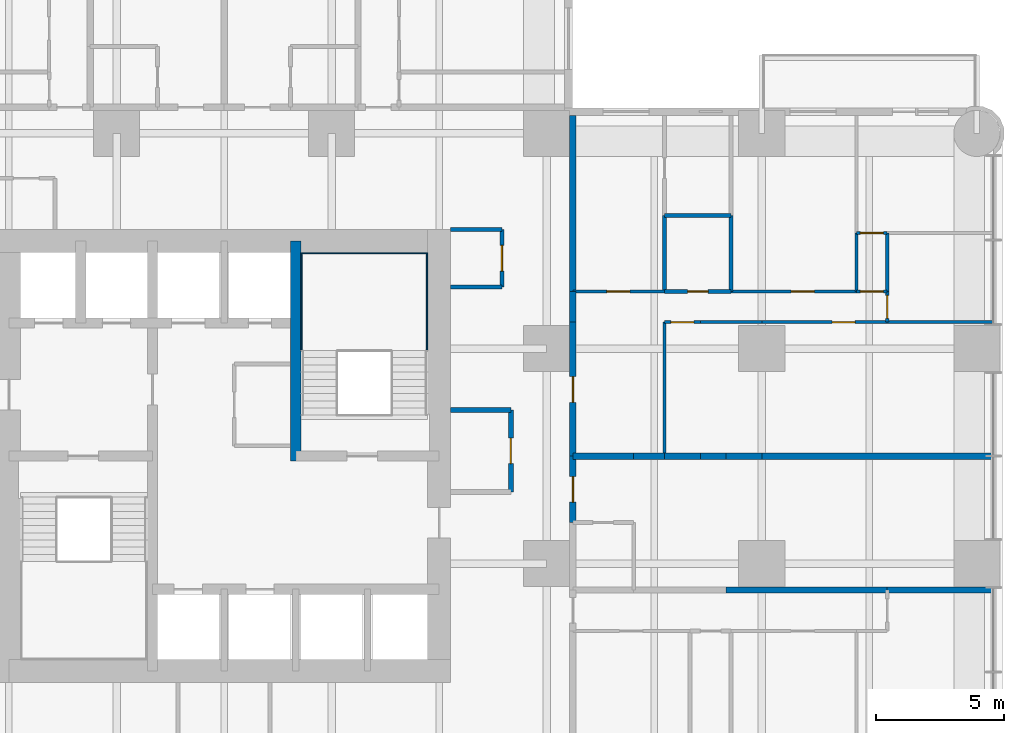
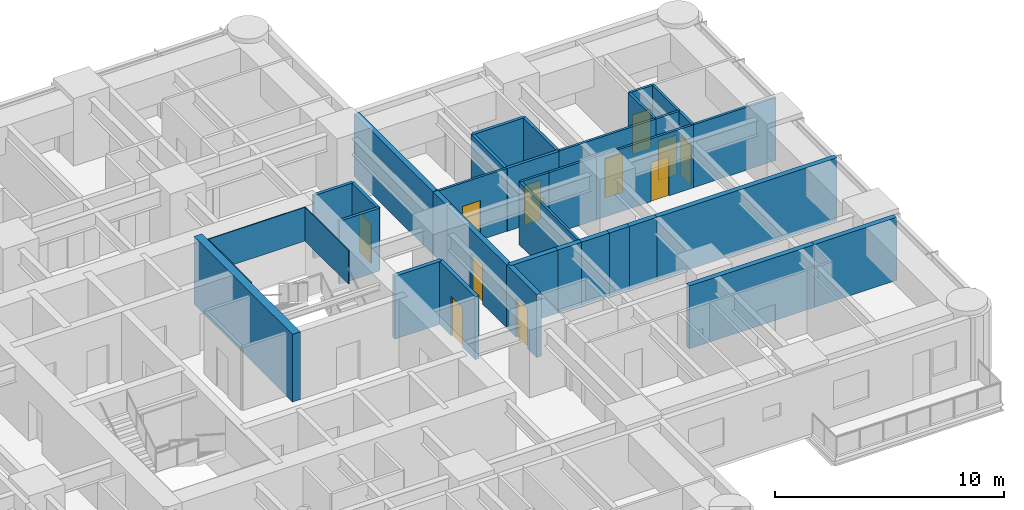
# One storey, part 10 of 14: 37 walls, 12 doors, 12 openings.
"""IFC4 building model written with IfcOpenShell, lengths in metres."""

from ifc_helpers import new_model, si_unit, direction, frame, frame_2d, origin, place, context, subcontext, project, spatial, rectangle, extrude, material, layer, layer_set, type_object, element, fill, save


model = new_model("IFC4")

# Units and contexts
model_context = context("Model", 3, precision=1e-05, world=origin(), true_north=direction((0.0, 1.0)))
body_context = subcontext(model_context, "Body", "Model", "MODEL_VIEW")
ifc_project = project(units=[si_unit("LENGTHUNIT", "METRE"), si_unit("AREAUNIT", "SQUARE_METRE"), si_unit("VOLUMEUNIT", "CUBIC_METRE"), si_unit("PLANEANGLEUNIT", "RADIAN"), si_unit("MASSUNIT", "GRAM", prefix="KILO")], contexts=[model_context])

# Site, building, storey
site_placement = place(None, origin())
site = spatial("IfcSite", under=ifc_project, at=site_placement, CompositionType="ELEMENT")
building_placement = place(site_placement, origin())
building = spatial("IfcBuilding", under=site, at=building_placement, Name="Torre Alcanfor", CompositionType="ELEMENT")
storey_placement = place(building_placement, frame((0.0, 0.0, 173.699951171875)))
storey = spatial("IfcBuildingStorey", under=building, at=storey_placement, Name="L45", CompositionType="ELEMENT", Elevation=173.699951171875)

# Wall, opening, door
ifc_material_1 = material(Name="Concrete block masonry, hollow blocks NMX-C-404 9 MPa", Category="masonry")
ifc_layer_1 = layer(ifc_material_1, 0.25)
ifc_layer_set_1 = layer_set([ifc_layer_1], Name="Apartment entrance wall 250 EI 60")
wall_type_1 = type_object("IfcWallType", Name="Apartment entrance wall 250 EI 60", PredefinedType="PARTITIONING", material=ifc_layer_set_1)
wall_1_placement = place(storey_placement, frame((43.02490234375, 34.62890625, 0.0), z_axis=(0.0, 0.0, 1.0), x_axis=(0.0, -1.0, 0.0)))
wall_1 = element("IfcWall", 1, at=wall_1_placement, inside=storey, type_object=wall_type_1, Name="Partition L45-CORR / L45-E1-ZAG", PredefinedType="PARTITIONING", context=body_context, shape_type="SweptSolid", body=[
    extrude(rectangle(XDim=5.22900390625, YDim=0.25, at=frame_2d((2.614501953125, 0.0))), origin(), (0.0, 0.0, 1.0), 3.35009765625),
])
opening_1_placement = place(wall_1_placement, frame((2.12890625, 0.0, 0.0)))
opening_1 = element("IfcOpeningElement", 2, at=opening_1_placement, cuts=wall_1, Name="Opening D-A1", PredefinedType="OPENING", context=body_context, shape_type="SweptSolid", body=[
    extrude(rectangle(XDim=1.0, YDim=2.10009765625, at=frame_2d((0.5, 1.050048828125))), frame((0.0, 0.135009765625, 0.0), z_axis=(0.0, -1.0, 0.0), x_axis=(1.0, 0.0, 0.0)), (0.0, 0.0, 1.0), 0.27001953125),
])
ifc_material_2 = material(Name="Galvanised steel sheet ASTM A653", Category="steel")
door_type_1 = type_object("IfcDoorType", Name="Apartment entrance door FD60 1000x2100", OperationType="SINGLE_SWING_LEFT", PredefinedType="DOOR", material=ifc_material_2)
door_1_placement = place(opening_1_placement, origin())
door_1 = element("IfcDoor", 3, at=door_1_placement, inside=storey, type_object=door_type_1, Name="Apartment entrance L45-E1", OperationType="SINGLE_SWING_RIGHT", OverallHeight=2.10009765625, OverallWidth=1.0, PredefinedType="DOOR", context=body_context, shape_type="SweptSolid", body=[
    extrude(rectangle(XDim=1.0, YDim=2.10009765625, at=frame_2d((0.5, 1.050048828125))), frame((0.0, 0.02490234375, 0.0), z_axis=(0.0, -1.0, 0.0), x_axis=(1.0, 0.0, 0.0)), (0.0, 0.0, 1.0), 0.050048828125),
])
fill(opening_1, door_1)

# Walls
wall_2_placement = place(storey_placement, frame((43.02490234375, 35.8291015625, 0.0), z_axis=(0.0, 0.0, 1.0), x_axis=(0.0, -1.0, 0.0)))
element("IfcWall", 4, at=wall_2_placement, inside=storey, type_object=wall_type_1, Name="Partition L45-CORR / L45-E1-HALL", PredefinedType="PARTITIONING", context=body_context, shape_type="SweptSolid", body=[
    extrude(rectangle(XDim=1.2001953125, YDim=0.25, at=frame_2d((0.60009765625, 0.0))), origin(), (0.0, 0.0, 1.0), 3.35009765625),
])
wall_3_placement = place(storey_placement, frame((43.02490234375, 42.699951171875, 0.0), z_axis=(0.0, 0.0, 1.0), x_axis=(0.0, -1.0, 0.0)))
element("IfcWall", 5, at=wall_3_placement, inside=storey, type_object=wall_type_1, Name="Partition L45-CORR / L45-E1-SERV", PredefinedType="PARTITIONING", context=body_context, shape_type="SweptSolid", body=[
    extrude(rectangle(XDim=6.870849609375, YDim=0.25, at=frame_2d((3.435546875, 0.0))), origin(), (0.0, 0.0, 1.0), 3.35009765625),
])

# Wall, opening, door
wall_4_placement = place(storey_placement, frame((43.02490234375, 29.39990234375, 0.0), z_axis=(0.0, 0.0, 1.0), x_axis=(0.0, -1.0, 0.0)))
wall_4 = element("IfcWall", 6, at=wall_4_placement, inside=storey, type_object=wall_type_1, Name="Partition L45-CORR / L45-E2A-FOYER", PredefinedType="PARTITIONING", context=body_context, shape_type="SweptSolid", body=[
    extrude(rectangle(XDim=2.599853515625, YDim=0.25, at=frame_2d((1.2998046875, 0.0))), origin(), (0.0, 0.0, 1.0), 3.35009765625),
])
opening_2_placement = place(wall_4_placement, frame((0.800048828125, 0.0, 0.0)))
opening_2 = element("IfcOpeningElement", 7, at=opening_2_placement, cuts=wall_4, Name="Opening D-A1", PredefinedType="OPENING", context=body_context, shape_type="SweptSolid", body=[
    extrude(rectangle(XDim=1.0, YDim=2.10009765625, at=frame_2d((0.5, 1.050048828125))), frame((0.0, 0.135009765625, 0.0), z_axis=(0.0, -1.0, 0.0), x_axis=(1.0, 0.0, 0.0)), (0.0, 0.0, 1.0), 0.27001953125),
])
door_2_placement = place(opening_2_placement, origin())
door_2 = element("IfcDoor", 8, at=door_2_placement, inside=storey, type_object=door_type_1, Name="Apartment entrance L45-E2A", OperationType="SINGLE_SWING_LEFT", OverallHeight=2.10009765625, OverallWidth=1.0, PredefinedType="DOOR", context=body_context, shape_type="SweptSolid", body=[
    extrude(rectangle(XDim=1.0, YDim=2.10009765625, at=frame_2d((0.5, 1.050048828125))), frame((0.0, 0.02490234375, 0.0), z_axis=(0.0, -1.0, 0.0), x_axis=(1.0, 0.0, 0.0)), (0.0, 0.0, 1.0), 0.050048828125),
])
fill(opening_2, door_2)

# Wall
ifc_material_3 = material(Name="Gypsum board on steel studs", Category="steel")
ifc_layer_2 = layer(ifc_material_3, 0.1201171875)
ifc_layer_set_2 = layer_set([ifc_layer_2], Name="Apartment partition 120")
wall_type_2 = type_object("IfcWallType", Name="Apartment partition 120", PredefinedType="PARTITIONING", material=ifc_layer_set_2)
wall_5_placement = place(storey_placement, frame((46.60009765625, 29.39990234375, 0.0), z_axis=(0.0, 0.0, 1.0), x_axis=(0.0, 1.0, 0.0)))
element("IfcWall", 9, at=wall_5_placement, inside=storey, type_object=wall_type_2, Name="Partition L45-E1-ZAG / L45-E1-LAUND", PredefinedType="PARTITIONING", context=body_context, shape_type="SweptSolid", body=[
    extrude(rectangle(XDim=5.22900390625, YDim=0.1201171875, at=frame_2d((2.614501953125, 0.0))), origin(), (0.0, 0.0, 1.0), 3.35009765625),
])

# Wall, opening, door
wall_6_placement = place(storey_placement, frame((48.0, 34.62890625, 0.0), z_axis=(0.0, 0.0, 1.0), x_axis=(-1.0, 0.0, 0.0)))
wall_6 = element("IfcWall", 10, at=wall_6_placement, inside=storey, type_object=wall_type_2, Name="Partition L45-E1-LAUND / L45-E1-HALL", PredefinedType="PARTITIONING", context=body_context, shape_type="SweptSolid", body=[
    extrude(rectangle(XDim=1.39990234375, YDim=0.1201171875, at=frame_2d((0.699951171875, 0.0))), origin(), (0.0, 0.0, 1.0), 3.35009765625),
])
opening_3_placement = place(wall_6_placement, frame((0.25, 0.0, 0.0)))
opening_3 = element("IfcOpeningElement", 11, at=opening_3_placement, cuts=wall_6, Name="Opening D-R1", PredefinedType="OPENING", context=body_context, shape_type="SweptSolid", body=[
    extrude(rectangle(XDim=0.89990234375, YDim=2.10009765625, at=frame_2d((0.449951171875, 1.050048828125))), frame((0.0, 0.070068359375, 0.0), z_axis=(0.0, -1.0, 0.0), x_axis=(1.0, 0.0, 0.0)), (0.0, 0.0, 1.0), 0.14013671875),
])
ifc_material_4 = material(Name="Timber", Category="wood")
door_type_2 = type_object("IfcDoorType", Name="Internal door 900x2100", OperationType="SINGLE_SWING_LEFT", PredefinedType="DOOR", material=ifc_material_4)
door_3_placement = place(opening_3_placement, origin())
door_3 = element("IfcDoor", 12, at=door_3_placement, inside=storey, type_object=door_type_2, Name="Door L45-E1 laund", OperationType="SINGLE_SWING_LEFT", OverallHeight=2.10009765625, OverallWidth=0.89990234375, PredefinedType="DOOR", context=body_context, shape_type="SweptSolid", body=[
    extrude(rectangle(XDim=0.89990234375, YDim=2.10009765625, at=frame_2d((0.449951171875, 1.050048828125))), frame((0.0, 0.02490234375, 0.0), z_axis=(0.0, -1.0, 0.0), x_axis=(1.0, 0.0, 0.0)), (0.0, 0.0, 1.0), 0.050048828125),
])
fill(opening_3, door_3)

# Wall
wall_7_placement = place(storey_placement, frame((50.39990234375, 34.62890625, 0.0), z_axis=(0.0, 0.0, 1.0), x_axis=(-1.0, 0.0, 0.0)))
element("IfcWall", 13, at=wall_7_placement, inside=storey, type_object=wall_type_2, Name="Partition L45-E1-KITCHEN / L45-E1-HALL", PredefinedType="PARTITIONING", context=body_context, shape_type="SweptSolid", body=[
    extrude(rectangle(XDim=2.39990234375, YDim=0.1201171875, at=frame_2d((1.199951171875, 0.0))), origin(), (0.0, 0.0, 1.0), 3.35009765625),
])

# Wall, opening, door
wall_8_placement = place(storey_placement, frame((55.300048828125, 34.62890625, 0.0), z_axis=(0.0, 0.0, 1.0), x_axis=(-1.0, 0.0, 0.0)))
wall_8 = element("IfcWall", 14, at=wall_8_placement, inside=storey, type_object=wall_type_2, Name="Partition L45-E1-LIVING / L45-E1-HALL", PredefinedType="PARTITIONING", context=body_context, shape_type="SweptSolid", body=[
    extrude(rectangle(XDim=4.900146484375, YDim=0.1201171875, at=frame_2d((2.4501953125, 0.0))), origin(), (0.0, 0.0, 1.0), 3.35009765625),
])
opening_4_placement = place(wall_8_placement, frame((1.25, 0.0, 0.0)))
opening_4 = element("IfcOpeningElement", 15, at=opening_4_placement, cuts=wall_8, Name="Opening D-R1", PredefinedType="OPENING", context=body_context, shape_type="SweptSolid", body=[
    extrude(rectangle(XDim=0.89990234375, YDim=2.10009765625, at=frame_2d((0.449951171875, 1.050048828125))), frame((0.0, 0.070068359375, 0.0), z_axis=(0.0, -1.0, 0.0), x_axis=(1.0, 0.0, 0.0)), (0.0, 0.0, 1.0), 0.14013671875),
])
door_4_placement = place(opening_4_placement, origin())
door_4 = element("IfcDoor", 16, at=door_4_placement, inside=storey, type_object=door_type_2, Name="Door L45-E1 living", OperationType="SINGLE_SWING_RIGHT", OverallHeight=2.10009765625, OverallWidth=0.89990234375, PredefinedType="DOOR", context=body_context, shape_type="SweptSolid", body=[
    extrude(rectangle(XDim=0.89990234375, YDim=2.10009765625, at=frame_2d((0.449951171875, 1.050048828125))), frame((0.0, 0.02490234375, 0.0), z_axis=(0.0, -1.0, 0.0), x_axis=(1.0, 0.0, 0.0)), (0.0, 0.0, 1.0), 0.050048828125),
])
fill(opening_4, door_4)

# Wall
wall_9_placement = place(storey_placement, frame((59.449951171875, 34.62890625, 0.0), z_axis=(0.0, 0.0, 1.0), x_axis=(-1.0, 0.0, 0.0)))
element("IfcWall", 17, at=wall_9_placement, inside=storey, type_object=wall_type_2, Name="Partition L45-E1-LIVING / L45-E1-BED2", PredefinedType="PARTITIONING", context=body_context, shape_type="SweptSolid", body=[
    extrude(rectangle(XDim=4.14990234375, YDim=0.1201171875, at=frame_2d((2.074951171875, 0.0))), origin(), (0.0, 0.0, 1.0), 3.35009765625),
])

# Wall, opening, door
wall_10_placement = place(storey_placement, frame((46.60009765625, 35.8291015625, 0.0), z_axis=(0.0, 0.0, 1.0), x_axis=(-1.0, 0.0, 0.0)))
wall_10 = element("IfcWall", 18, at=wall_10_placement, inside=storey, type_object=wall_type_2, Name="Partition L45-E1-HALL / L45-E1-SERV", PredefinedType="PARTITIONING", context=body_context, shape_type="SweptSolid", body=[
    extrude(rectangle(XDim=3.5751953125, YDim=0.1201171875, at=frame_2d((1.78759765625, 0.0))), origin(), (0.0, 0.0, 1.0), 3.35009765625),
])
opening_5_placement = place(wall_10_placement, frame((1.35009765625, 0.0, 0.0)))
opening_5 = element("IfcOpeningElement", 19, at=opening_5_placement, cuts=wall_10, Name="Opening D-R1", PredefinedType="OPENING", context=body_context, shape_type="SweptSolid", body=[
    extrude(rectangle(XDim=0.89990234375, YDim=2.10009765625, at=frame_2d((0.449951171875, 1.050048828125))), frame((0.0, 0.070068359375, 0.0), z_axis=(0.0, -1.0, 0.0), x_axis=(1.0, 0.0, 0.0)), (0.0, 0.0, 1.0), 0.14013671875),
])
door_5_placement = place(opening_5_placement, frame((0.89990234375, 0.0, 0.0), z_axis=(0.0, 0.0, 1.0), x_axis=(-1.0, 0.0, 0.0)))
door_5 = element("IfcDoor", 20, at=door_5_placement, inside=storey, type_object=door_type_2, Name="Door L45-E1 serv", OperationType="SINGLE_SWING_LEFT", OverallHeight=2.10009765625, OverallWidth=0.89990234375, PredefinedType="DOOR", context=body_context, shape_type="SweptSolid", body=[
    extrude(rectangle(XDim=0.89990234375, YDim=2.10009765625, at=frame_2d((0.449951171875, 1.050048828125))), frame((0.0, 0.025146484375, 0.0), z_axis=(0.0, -1.0, 0.0), x_axis=(1.0, 0.0, 0.0)), (0.0, 0.0, 1.0), 0.050048828125),
])
fill(opening_5, door_5)

wall_11_placement = place(storey_placement, frame((54.10009765625, 35.8291015625, 0.0), z_axis=(0.0, 0.0, 1.0), x_axis=(-1.0, 0.0, 0.0)))
wall_11 = element("IfcWall", 21, at=wall_11_placement, inside=storey, type_object=wall_type_2, Name="Partition L45-E1-HALL / L45-E1-BED3", PredefinedType="PARTITIONING", context=body_context, shape_type="SweptSolid", body=[
    extrude(rectangle(XDim=4.900146484375, YDim=0.1201171875, at=frame_2d((2.4501953125, 0.0))), origin(), (0.0, 0.0, 1.0), 3.35009765625),
])
opening_6_placement = place(wall_11_placement, frame((1.64990234375, 0.0, 0.0)))
opening_6 = element("IfcOpeningElement", 22, at=opening_6_placement, cuts=wall_11, Name="Opening D-R1", PredefinedType="OPENING", context=body_context, shape_type="SweptSolid", body=[
    extrude(rectangle(XDim=0.89990234375, YDim=2.10009765625, at=frame_2d((0.449951171875, 1.050048828125))), frame((0.0, 0.070068359375, 0.0), z_axis=(0.0, -1.0, 0.0), x_axis=(1.0, 0.0, 0.0)), (0.0, 0.0, 1.0), 0.14013671875),
])
door_6_placement = place(opening_6_placement, frame((0.89990234375, 0.0, 0.0), z_axis=(0.0, 0.0, 1.0), x_axis=(-1.0, 0.0, 0.0)))
door_6 = element("IfcDoor", 23, at=door_6_placement, inside=storey, type_object=door_type_2, Name="Door L45-E1 bed3", OperationType="SINGLE_SWING_RIGHT", OverallHeight=2.10009765625, OverallWidth=0.89990234375, PredefinedType="DOOR", context=body_context, shape_type="SweptSolid", body=[
    extrude(rectangle(XDim=0.89990234375, YDim=2.10009765625, at=frame_2d((0.449951171875, 1.050048828125))), frame((0.0, 0.025146484375, 0.0), z_axis=(0.0, -1.0, 0.0), x_axis=(1.0, 0.0, 0.0)), (0.0, 0.0, 1.0), 0.050048828125),
])
fill(opening_6, door_6)

wall_12_placement = place(storey_placement, frame((55.300048828125, 35.8291015625, 0.0), z_axis=(0.0, 0.0, 1.0), x_axis=(-1.0, 0.0, 0.0)))
wall_12 = element("IfcWall", 24, at=wall_12_placement, inside=storey, type_object=wall_type_2, Name="Partition L45-E1-HALL / L45-E1-VEST", PredefinedType="PARTITIONING", context=body_context, shape_type="SweptSolid", body=[
    extrude(rectangle(XDim=1.199951171875, YDim=0.1201171875, at=frame_2d((0.60009765625, 0.0))), origin(), (0.0, 0.0, 1.0), 3.35009765625),
])
opening_7_placement = place(wall_12_placement, frame((0.14990234375, 0.0, 0.0)))
opening_7 = element("IfcOpeningElement", 25, at=opening_7_placement, cuts=wall_12, Name="Opening D-R1", PredefinedType="OPENING", context=body_context, shape_type="SweptSolid", body=[
    extrude(rectangle(XDim=0.89990234375, YDim=2.10009765625, at=frame_2d((0.449951171875, 1.050048828125))), frame((0.0, 0.070068359375, 0.0), z_axis=(0.0, -1.0, 0.0), x_axis=(1.0, 0.0, 0.0)), (0.0, 0.0, 1.0), 0.14013671875),
])
door_7_placement = place(opening_7_placement, frame((0.89990234375, 0.0, 0.0), z_axis=(0.0, 0.0, 1.0), x_axis=(-1.0, 0.0, 0.0)))
door_7 = element("IfcDoor", 26, at=door_7_placement, inside=storey, type_object=door_type_2, Name="Door L45-E1 vest", OperationType="SINGLE_SWING_RIGHT", OverallHeight=2.10009765625, OverallWidth=0.89990234375, PredefinedType="DOOR", context=body_context, shape_type="SweptSolid", body=[
    extrude(rectangle(XDim=0.89990234375, YDim=2.10009765625, at=frame_2d((0.449951171875, 1.050048828125))), frame((0.0, 0.025146484375, 0.0), z_axis=(0.0, -1.0, 0.0), x_axis=(1.0, 0.0, 0.0)), (0.0, 0.0, 1.0), 0.050048828125),
])
fill(opening_7, door_7)

wall_13_placement = place(storey_placement, frame((55.300048828125, 34.62890625, 0.0), z_axis=(0.0, 0.0, 1.0), x_axis=(0.0, 1.0, 0.0)))
wall_13 = element("IfcWall", 27, at=wall_13_placement, inside=storey, type_object=wall_type_2, Name="Partition L45-E1-HALL / L45-E1-BED2", PredefinedType="PARTITIONING", context=body_context, shape_type="SweptSolid", body=[
    extrude(rectangle(XDim=1.2001953125, YDim=0.1201171875, at=frame_2d((0.60009765625, 0.0))), origin(), (0.0, 0.0, 1.0), 3.35009765625),
])
opening_8_placement = place(wall_13_placement, frame((0.15087890625, 0.0, 0.0)))
opening_8 = element("IfcOpeningElement", 28, at=opening_8_placement, cuts=wall_13, Name="Opening D-R1", PredefinedType="OPENING", context=body_context, shape_type="SweptSolid", body=[
    extrude(rectangle(XDim=0.89990234375, YDim=2.10009765625, at=frame_2d((0.449951171875, 1.050048828125))), frame((0.0, 0.070068359375, 0.0), z_axis=(0.0, -1.0, 0.0), x_axis=(1.0, 0.0, 0.0)), (0.0, 0.0, 1.0), 0.14013671875),
])
door_8_placement = place(opening_8_placement, frame((0.89990234375, 0.0, 0.0), z_axis=(0.0, 0.0, 1.0), x_axis=(-1.0, 0.0, 0.0)))
door_8 = element("IfcDoor", 29, at=door_8_placement, inside=storey, type_object=door_type_2, Name="Door L45-E1 bed2", OperationType="SINGLE_SWING_RIGHT", OverallHeight=2.10009765625, OverallWidth=0.89990234375, PredefinedType="DOOR", context=body_context, shape_type="SweptSolid", body=[
    extrude(rectangle(XDim=0.89990234375, YDim=2.10009765625, at=frame_2d((0.449951171875, 1.050048828125))), frame((0.0, 0.025146484375, 0.0), z_axis=(0.0, -1.0, 0.0), x_axis=(1.0, 0.0, 0.0)), (0.0, 0.0, 1.0), 0.050048828125),
])
fill(opening_8, door_8)

# Walls
for number, where, z_axis, x_axis, name in (
    (30, (54.10009765625, 35.8291015625, 0.0), (0.0, 0.0, 1.0), (0.0, 1.0, 0.0), "Partition L45-E1-BED3 / L45-E1-VEST"),
    (31, (55.300048828125, 35.8291015625, 0.0), (0.0, 0.0, 1.0), (0.0, 1.0, 0.0), "Partition L45-E1-VEST / L45-E1-BED2"),
):
    element("IfcWall", number, at=place(storey_placement, frame(where, z_axis=z_axis, x_axis=x_axis)), inside=storey, type_object=wall_type_2, Name=name, PredefinedType="PARTITIONING", context=body_context, shape_type="SweptSolid", body=[
        extrude(rectangle(XDim=2.284912109375, YDim=0.1201171875, at=frame_2d((1.142578125, 0.0))), origin(), (0.0, 0.0, 1.0), 3.35009765625),
    ])

# Wall, opening, door
wall_14_placement = place(storey_placement, frame((55.300048828125, 38.114013671875, 0.0), z_axis=(0.0, 0.0, 1.0), x_axis=(-1.0, 0.0, 0.0)))
wall_14 = element("IfcWall", 32, at=wall_14_placement, inside=storey, type_object=wall_type_2, Name="Partition L45-E1-VEST / L45-E1-MASTER", PredefinedType="PARTITIONING", context=body_context, shape_type="SweptSolid", body=[
    extrude(rectangle(XDim=1.199951171875, YDim=0.1201171875, at=frame_2d((0.60009765625, 0.0))), origin(), (0.0, 0.0, 1.0), 3.35009765625),
])
opening_9_placement = place(wall_14_placement, frame((0.14990234375, 0.0, 0.0)))
opening_9 = element("IfcOpeningElement", 33, at=opening_9_placement, cuts=wall_14, Name="Opening D-R1", PredefinedType="OPENING", context=body_context, shape_type="SweptSolid", body=[
    extrude(rectangle(XDim=0.89990234375, YDim=2.10009765625, at=frame_2d((0.449951171875, 1.050048828125))), frame((0.0, 0.070068359375, 0.0), z_axis=(0.0, -1.0, 0.0), x_axis=(1.0, 0.0, 0.0)), (0.0, 0.0, 1.0), 0.14013671875),
])
door_9_placement = place(opening_9_placement, origin())
door_9 = element("IfcDoor", 34, at=door_9_placement, inside=storey, type_object=door_type_2, Name="Door L45-E1 master", OperationType="SINGLE_SWING_LEFT", OverallHeight=2.10009765625, OverallWidth=0.89990234375, PredefinedType="DOOR", context=body_context, shape_type="SweptSolid", body=[
    extrude(rectangle(XDim=0.89990234375, YDim=2.10009765625, at=frame_2d((0.449951171875, 1.050048828125))), frame((0.0, 0.02490234375, 0.0), z_axis=(0.0, -1.0, 0.0), x_axis=(1.0, 0.0, 0.0)), (0.0, 0.0, 1.0), 0.050048828125),
])
fill(opening_9, door_9)

# Walls
ifc_material_5 = material(Name="Concrete f'c 70 MPa", Category="concrete")
ifc_layer_3 = layer(ifc_material_5, 0.39990234375)
ifc_layer_set_3 = layer_set([ifc_layer_3], Name="Core inner wall 400 f'c70")
wall_type_3 = type_object("IfcWallType", Name="Core inner wall 400 f'c70", PredefinedType="SHEAR", material=ifc_layer_set_3)
wall_15_placement = place(storey_placement, frame((32.199951171875, 29.199951171875, 0.0), z_axis=(0.0, 0.0, 1.0), x_axis=(0.0, 1.0, 0.0)))
element("IfcWall", 35, at=wall_15_placement, inside=storey, type_object=wall_type_3, Name="Core wall X322N L45", PredefinedType="SHEAR", context=body_context, shape_type="SweptSolid", body=[
    extrude(rectangle(XDim=8.60009765625, YDim=0.39990234375, at=frame_2d((4.300048828125, 0.0))), origin(), (0.0, 0.0, 1.0), 3.60009765625),
])
ifc_material_6 = material(Name="Concrete block masonry, hollow blocks NMX-C-404 9 MPa", Category="masonry")
ifc_layer_4 = layer(ifc_material_6, 0.25)
ifc_layer_set_4 = layer_set([ifc_layer_4], Name="Party wall 250 EI 60")
wall_type_4 = type_object("IfcWallType", Name="Party wall 250 EI 60", PredefinedType="PARTITIONING", material=ifc_layer_set_4)
wall_16_placement = place(storey_placement, frame((43.02490234375, 29.39990234375, 0.0), z_axis=(0.0, 0.0, 1.0), x_axis=(1.0, 0.0, 0.0)))
element("IfcWall", 36, at=wall_16_placement, inside=storey, type_object=wall_type_4, Name="Partition L45-E1-ZAG / L45-E2A-FOYER", PredefinedType="PARTITIONING", context=body_context, shape_type="SweptSolid", body=[
    extrude(rectangle(XDim=2.375, YDim=0.25, at=frame_2d((1.1875, 0.0))), origin(), (0.0, 0.0, 1.0), 3.35009765625),
])
wall_17_placement = place(storey_placement, frame((45.39990234375, 29.39990234375, 0.0), z_axis=(0.0, 0.0, 1.0), x_axis=(1.0, 0.0, 0.0)))
element("IfcWall", 37, at=wall_17_placement, inside=storey, type_object=wall_type_4, Name="Partition L45-E1-ZAG / L45-E2A-KITCHEN", PredefinedType="PARTITIONING", context=body_context, shape_type="SweptSolid", body=[
    extrude(rectangle(XDim=1.2001953125, YDim=0.25, at=frame_2d((0.60009765625, 0.0))), origin(), (0.0, 0.0, 1.0), 3.35009765625),
])
wall_18_placement = place(storey_placement, frame((46.60009765625, 29.39990234375, 0.0), z_axis=(0.0, 0.0, 1.0), x_axis=(1.0, 0.0, 0.0)))
element("IfcWall", 38, at=wall_18_placement, inside=storey, type_object=wall_type_4, Name="Partition L45-E1-LAUND / L45-E2A-KITCHEN", PredefinedType="PARTITIONING", context=body_context, shape_type="SweptSolid", body=[
    extrude(rectangle(XDim=1.39990234375, YDim=0.25, at=frame_2d((0.699951171875, 0.0))), origin(), (0.0, 0.0, 1.0), 3.35009765625),
])
wall_19_placement = place(storey_placement, frame((48.0, 29.39990234375, 0.0), z_axis=(0.0, 0.0, 1.0), x_axis=(1.0, 0.0, 0.0)))
element("IfcWall", 39, at=wall_19_placement, inside=storey, type_object=wall_type_4, Name="Partition L45-E1-KITCHEN / L45-E2A-KITCHEN", PredefinedType="PARTITIONING", context=body_context, shape_type="SweptSolid", body=[
    extrude(rectangle(XDim=1.0, YDim=0.25, at=frame_2d((0.5, 0.0))), origin(), (0.0, 0.0, 1.0), 3.35009765625),
])
wall_20_placement = place(storey_placement, frame((49.0, 29.39990234375, 0.0), z_axis=(0.0, 0.0, 1.0), x_axis=(1.0, 0.0, 0.0)))
element("IfcWall", 40, at=wall_20_placement, inside=storey, type_object=wall_type_4, Name="Partition L45-E1-KITCHEN / L45-E2A-STUDIO", PredefinedType="PARTITIONING", context=body_context, shape_type="SweptSolid", body=[
    extrude(rectangle(XDim=1.39990234375, YDim=0.25, at=frame_2d((0.699951171875, 0.0))), origin(), (0.0, 0.0, 1.0), 3.35009765625),
])
wall_21_placement = place(storey_placement, frame((50.39990234375, 29.39990234375, 0.0), z_axis=(0.0, 0.0, 1.0), x_axis=(1.0, 0.0, 0.0)))
element("IfcWall", 41, at=wall_21_placement, inside=storey, type_object=wall_type_4, Name="Partition L45-E1-LIVING / L45-E2A-STUDIO", PredefinedType="PARTITIONING", context=body_context, shape_type="SweptSolid", body=[
    extrude(rectangle(XDim=9.050048828125, YDim=0.25, at=frame_2d((4.52490234375, 0.0))), origin(), (0.0, 0.0, 1.0), 3.35009765625),
])
wall_22_placement = place(storey_placement, frame((55.300048828125, 24.1708984375, 0.0), z_axis=(0.0, 0.0, 1.0), x_axis=(-1.0, 0.0, 0.0)))
element("IfcWall", 42, at=wall_22_placement, inside=storey, type_object=wall_type_4, Name="Partition L45-E2A-STUDIO / L45-E2B-HALL", PredefinedType="PARTITIONING", context=body_context, shape_type="SweptSolid", body=[
    extrude(rectangle(XDim=6.300048828125, YDim=0.25, at=frame_2d((3.14990234375, 0.0))), origin(), (0.0, 0.0, 1.0), 3.35009765625),
])
wall_23_placement = place(storey_placement, frame((59.449951171875, 24.1708984375, 0.0), z_axis=(0.0, 0.0, 1.0), x_axis=(-1.0, 0.0, 0.0)))
element("IfcWall", 43, at=wall_23_placement, inside=storey, type_object=wall_type_4, Name="Partition L45-E2A-STUDIO / L45-E2B-LIVING", PredefinedType="PARTITIONING", context=body_context, shape_type="SweptSolid", body=[
    extrude(rectangle(XDim=4.14990234375, YDim=0.25, at=frame_2d((2.074951171875, 0.0))), origin(), (0.0, 0.0, 1.0), 3.35009765625),
])

# Wall, opening, door
ifc_material_7 = material(Name="Concrete block masonry, hollow blocks NMX-C-404 9 MPa", Category="masonry")
ifc_layer_5 = layer(ifc_material_7, 0.199951171875)
ifc_layer_set_5 = layer_set([ifc_layer_5], Name="Plant room wall 200 EI 60")
wall_type_5 = type_object("IfcWallType", Name="Plant room wall 200 EI 60", PredefinedType="PARTITIONING", material=ifc_layer_set_5)
wall_24_placement = place(storey_placement, frame((40.60009765625, 28.0, 0.0), z_axis=(0.0, 0.0, 1.0), x_axis=(0.0, 1.0, 0.0)))
wall_24 = element("IfcWall", 44, at=wall_24_placement, inside=storey, type_object=wall_type_5, Name="Partition L45-CORR / L45-G02", PredefinedType="PARTITIONING", context=body_context, shape_type="SweptSolid", body=[
    extrude(rectangle(XDim=3.199951171875, YDim=0.199951171875, at=frame_2d((1.60009765625, 0.0))), origin(), (0.0, 0.0, 1.0), 3.35009765625),
])
opening_10_placement = place(wall_24_placement, frame((1.10009765625, 0.0, 0.0)))
opening_10 = element("IfcOpeningElement", 45, at=opening_10_placement, cuts=wall_24, Name="Opening D-K1", PredefinedType="OPENING", context=body_context, shape_type="SweptSolid", body=[
    extrude(rectangle(XDim=1.0, YDim=2.10009765625, at=frame_2d((0.5, 1.050048828125))), frame((0.0, 0.10986328125, 0.0), z_axis=(0.0, -1.0, 0.0), x_axis=(1.0, 0.0, 0.0)), (0.0, 0.0, 1.0), 0.219970703125),
])
ifc_material_8 = material(Name="Galvanised steel sheet ASTM A653", Category="steel")
door_type_3 = type_object("IfcDoorType", Name="Core room door FD60 1000x2100", OperationType="SINGLE_SWING_LEFT", PredefinedType="DOOR", material=ifc_material_8)
door_10_placement = place(opening_10_placement, origin())
door_10 = element("IfcDoor", 46, at=door_10_placement, inside=storey, type_object=door_type_3, Name="Door L45-G02 refuse and recycling store", OperationType="SINGLE_SWING_LEFT", OverallHeight=2.10009765625, OverallWidth=1.0, PredefinedType="DOOR", context=body_context, shape_type="SweptSolid", body=[
    extrude(rectangle(XDim=1.0, YDim=2.10009765625, at=frame_2d((0.5, 1.050048828125))), frame((0.0, 0.02490234375, 0.0), z_axis=(0.0, -1.0, 0.0), x_axis=(1.0, 0.0, 0.0)), (0.0, 0.0, 1.0), 0.050048828125),
])
fill(opening_10, door_10)

# Walls
wall_25_placement = place(storey_placement, frame((40.60009765625, 31.199951171875, 0.0), z_axis=(0.0, 0.0, 1.0), x_axis=(-1.0, 0.0, 0.0)))
element("IfcWall", 47, at=wall_25_placement, inside=storey, type_object=wall_type_5, Name="Partition L45-CORR / L45-G02", PredefinedType="PARTITIONING", context=body_context, shape_type="SweptSolid", body=[
    extrude(rectangle(XDim=2.35009765625, YDim=0.199951171875, at=frame_2d((1.175048828125, 0.0))), origin(), (0.0, 0.0, 1.0), 3.35009765625),
])
ifc_material_9 = material(Name="Concrete block masonry, hollow blocks NMX-C-404 9 MPa", Category="masonry")
ifc_layer_6 = layer(ifc_material_9, 0.14990234375)
ifc_layer_set_6 = layer_set([ifc_layer_6], Name="Residents' room partition 150")
wall_type_6 = type_object("IfcWallType", Name="Residents' room partition 150", PredefinedType="PARTITIONING", material=ifc_layer_set_6)
wall_26_placement = place(storey_placement, frame((38.25, 36.0, 0.0), z_axis=(0.0, 0.0, 1.0), x_axis=(1.0, 0.0, 0.0)))
element("IfcWall", 48, at=wall_26_placement, inside=storey, type_object=wall_type_6, Name="Partition L45-CORR / L45-G03", PredefinedType="PARTITIONING", context=body_context, shape_type="SweptSolid", body=[
    extrude(rectangle(XDim=2.0, YDim=0.14990234375, at=frame_2d((1.0, 0.0))), origin(), (0.0, 0.0, 1.0), 3.35009765625),
])

# Wall, opening, door
wall_27_placement = place(storey_placement, frame((40.25, 36.0, 0.0), z_axis=(0.0, 0.0, 1.0), x_axis=(0.0, 1.0, 0.0)))
wall_27 = element("IfcWall", 49, at=wall_27_placement, inside=storey, type_object=wall_type_6, Name="Partition L45-CORR / L45-G03", PredefinedType="PARTITIONING", context=body_context, shape_type="SweptSolid", body=[
    extrude(rectangle(XDim=2.25, YDim=0.14990234375, at=frame_2d((1.125, 0.0))), origin(), (0.0, 0.0, 1.0), 3.35009765625),
])
opening_11_placement = place(wall_27_placement, frame((0.625, 0.0, 0.0)))
opening_11 = element("IfcOpeningElement", 50, at=opening_11_placement, cuts=wall_27, Name="Opening D-M1", PredefinedType="OPENING", context=body_context, shape_type="SweptSolid", body=[
    extrude(rectangle(XDim=1.0, YDim=2.10009765625, at=frame_2d((0.5, 1.050048828125))), frame((0.0, 0.0849609375, 0.0), z_axis=(0.0, -1.0, 0.0), x_axis=(1.0, 0.0, 0.0)), (0.0, 0.0, 1.0), 0.169921875),
])
ifc_material_10 = material(Name="Timber", Category="wood")
door_type_4 = type_object("IfcDoorType", Name="Residents' room door 1000x2100", OperationType="SINGLE_SWING_LEFT", PredefinedType="DOOR", material=ifc_material_10)
door_11_placement = place(opening_11_placement, origin())
door_11 = element("IfcDoor", 51, at=door_11_placement, inside=storey, type_object=door_type_4, Name="Door L45-G03 cleaners' store", OperationType="SINGLE_SWING_LEFT", OverallHeight=2.10009765625, OverallWidth=1.0, PredefinedType="DOOR", context=body_context, shape_type="SweptSolid", body=[
    extrude(rectangle(XDim=1.0, YDim=2.10009765625, at=frame_2d((0.5, 1.050048828125))), frame((0.0, 0.02490234375, 0.0), z_axis=(0.0, -1.0, 0.0), x_axis=(1.0, 0.0, 0.0)), (0.0, 0.0, 1.0), 0.050048828125),
])
fill(opening_11, door_11)

# Walls
wall_28_placement = place(storey_placement, frame((40.25, 38.25, 0.0), z_axis=(0.0, 0.0, 1.0), x_axis=(-1.0, 0.0, 0.0)))
element("IfcWall", 52, at=wall_28_placement, inside=storey, type_object=wall_type_6, Name="Partition L45-CORR / L45-G03", PredefinedType="PARTITIONING", context=body_context, shape_type="SweptSolid", body=[
    extrude(rectangle(XDim=2.0, YDim=0.14990234375, at=frame_2d((1.0, 0.0))), origin(), (0.0, 0.0, 1.0), 3.35009765625),
])
ifc_material_11 = material(Name="Calcium silicate board", Category="masonry")
ifc_layer_7 = layer(ifc_material_11, 0.050048828125)
ifc_layer_set_7 = layer_set([ifc_layer_7], Name="Stair lining 50 EI 120")
wall_type_7 = type_object("IfcWallType", Name="Stair lining 50 EI 120", PredefinedType="PARTITIONING", material=ifc_layer_set_7)
wall_29_placement = place(storey_placement, frame((32.39990234375, 37.324951171875, 1.800048828125), z_axis=(0.0, 0.0, 1.0), x_axis=(1.0, 0.0, 0.0)))
element("IfcWall", 53, at=wall_29_placement, inside=storey, type_object=wall_type_7, Name="Stair lining S2 L45 north end", PredefinedType="PARTITIONING", context=body_context, shape_type="SweptSolid", body=[
    extrude(rectangle(XDim=4.9501953125, YDim=0.050048828125, at=frame_2d((2.47509765625, 0.0))), origin(), (0.0, 0.0, 1.0), 1.800048828125),
])
for number, where, z_axis, x_axis, name in (
    (54, (32.425048828125, 33.52001953125, 1.800048828125), (0.0, 0.0, 1.0), (0.0, 1.0, 0.0), "Stair lining S2 L45 west side"),
    (55, (37.324951171875, 33.52001953125, 1.800048828125), (0.0, 0.0, 1.0), (0.0, 1.0, 0.0), "Stair lining S2 L45 east side"),
):
    element("IfcWall", number, at=place(storey_placement, frame(where, z_axis=z_axis, x_axis=x_axis)), inside=storey, type_object=wall_type_7, Name=name, PredefinedType="PARTITIONING", context=body_context, shape_type="SweptSolid", body=[
        extrude(rectangle(XDim=3.780029296875, YDim=0.050048828125, at=frame_2d((1.89013671875, 0.0))), origin(), (0.0, 0.0, 1.0), 1.800048828125),
    ])

# Wall, opening, door
ifc_material_12 = material(Name="Cement board on steel studs", Category="steel")
ifc_layer_8 = layer(ifc_material_12, 0.14990234375)
ifc_layer_set_8 = layer_set([ifc_layer_8], Name="Wet area partition 150")
wall_type_8 = type_object("IfcWallType", Name="Wet area partition 150", PredefinedType="PARTITIONING", material=ifc_layer_set_8)
wall_30_placement = place(storey_placement, frame((49.199951171875, 35.8291015625, 0.0), z_axis=(0.0, 0.0, 1.0), x_axis=(-1.0, 0.0, 0.0)))
wall_30 = element("IfcWall", 56, at=wall_30_placement, inside=storey, type_object=wall_type_8, Name="Partition L45-E1-HALL / L45-E1-BATH1", PredefinedType="PARTITIONING", context=body_context, shape_type="SweptSolid", body=[
    extrude(rectangle(XDim=2.599853515625, YDim=0.14990234375, at=frame_2d((1.2998046875, 0.0))), origin(), (0.0, 0.0, 1.0), 3.35009765625),
])
opening_12_placement = place(wall_30_placement, frame((0.89990234375, 0.0, 0.0)))
opening_12 = element("IfcOpeningElement", 57, at=opening_12_placement, cuts=wall_30, Name="Opening D-R2", PredefinedType="OPENING", context=body_context, shape_type="SweptSolid", body=[
    extrude(rectangle(XDim=0.800048828125, YDim=2.10009765625, at=frame_2d((0.39990234375, 1.050048828125))), frame((0.0, 0.0849609375, 0.0), z_axis=(0.0, -1.0, 0.0), x_axis=(1.0, 0.0, 0.0)), (0.0, 0.0, 1.0), 0.169921875),
])
ifc_material_13 = material(Name="Timber", Category="wood")
door_type_5 = type_object("IfcDoorType", Name="Bathroom door 800x2100", OperationType="SINGLE_SWING_LEFT", PredefinedType="DOOR", material=ifc_material_13)
door_12_placement = place(opening_12_placement, frame((0.800048828125, 0.0, 0.0), z_axis=(0.0, 0.0, 1.0), x_axis=(-1.0, 0.0, 0.0)))
door_12 = element("IfcDoor", 58, at=door_12_placement, inside=storey, type_object=door_type_5, Name="Door L45-E1 bath1", OperationType="SINGLE_SWING_RIGHT", OverallHeight=2.10009765625, OverallWidth=0.800048828125, PredefinedType="DOOR", context=body_context, shape_type="SweptSolid", body=[
    extrude(rectangle(XDim=0.800048828125, YDim=2.10009765625, at=frame_2d((0.400146484375, 1.050048828125))), frame((0.0, 0.025146484375, 0.0), z_axis=(0.0, -1.0, 0.0), x_axis=(1.0, 0.0, 0.0)), (0.0, 0.0, 1.0), 0.050048828125),
])
fill(opening_12, door_12)

# Walls
wall_31_placement = place(storey_placement, frame((46.60009765625, 35.8291015625, 0.0), z_axis=(0.0, 0.0, 1.0), x_axis=(0.0, 1.0, 0.0)))
element("IfcWall", 59, at=wall_31_placement, inside=storey, type_object=wall_type_8, Name="Partition L45-E1-SERV / L45-E1-BATH1", PredefinedType="PARTITIONING", context=body_context, shape_type="SweptSolid", body=[
    extrude(rectangle(XDim=2.970947265625, YDim=0.14990234375, at=frame_2d((1.4853515625, 0.0))), origin(), (0.0, 0.0, 1.0), 3.35009765625),
])
wall_32_placement = place(storey_placement, frame((49.199951171875, 38.800048828125, 0.0), z_axis=(0.0, 0.0, 1.0), x_axis=(-1.0, 0.0, 0.0)))
element("IfcWall", 60, at=wall_32_placement, inside=storey, type_object=wall_type_8, Name="Partition L45-E1-BATH1 / L45-E1-SBATH", PredefinedType="PARTITIONING", context=body_context, shape_type="SweptSolid", body=[
    extrude(rectangle(XDim=2.599853515625, YDim=0.14990234375, at=frame_2d((1.2998046875, 0.0))), origin(), (0.0, 0.0, 1.0), 3.35009765625),
])
wall_33_placement = place(storey_placement, frame((49.199951171875, 35.8291015625, 0.0), z_axis=(0.0, 0.0, 1.0), x_axis=(0.0, 1.0, 0.0)))
element("IfcWall", 61, at=wall_33_placement, inside=storey, type_object=wall_type_8, Name="Partition L45-E1-BATH1 / L45-E1-BED3", PredefinedType="PARTITIONING", context=body_context, shape_type="SweptSolid", body=[
    extrude(rectangle(XDim=2.970947265625, YDim=0.14990234375, at=frame_2d((1.4853515625, 0.0))), origin(), (0.0, 0.0, 1.0), 3.35009765625),
])

save(model, "model.ifc")
